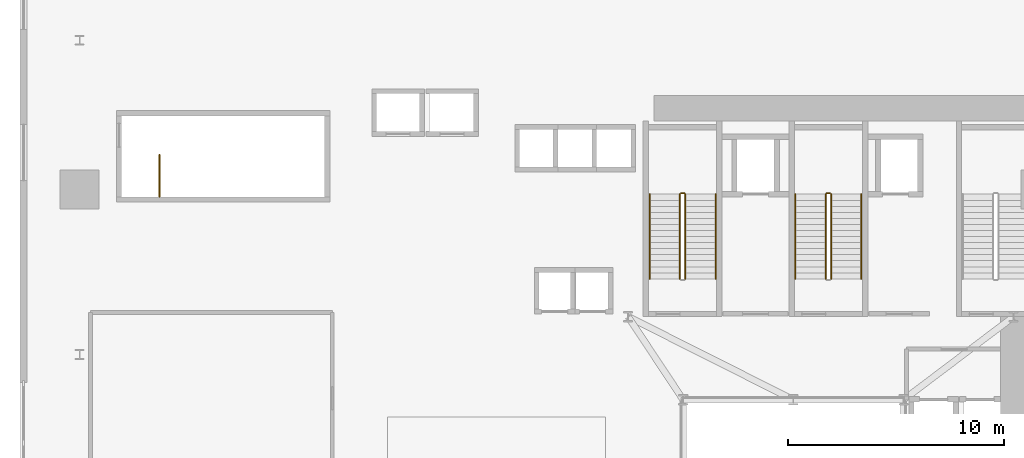
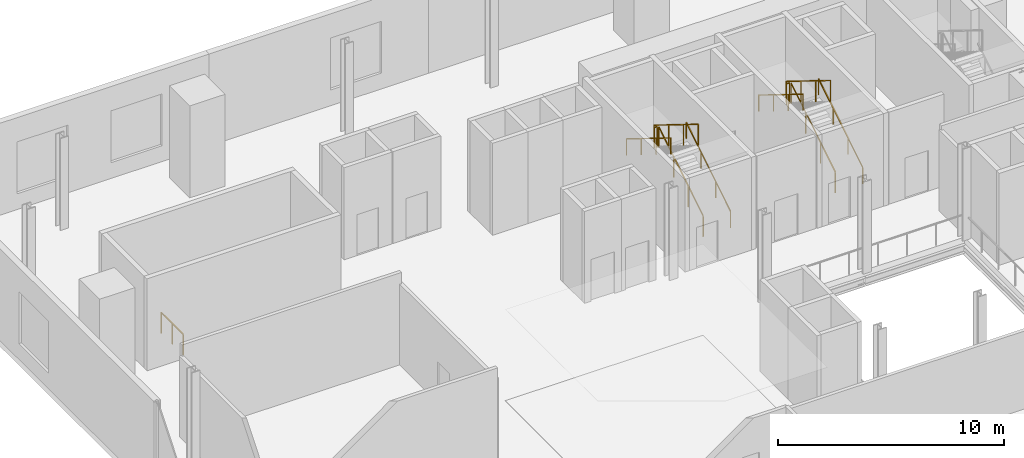
# One storey, part 12 of 13: 11 railings.
"""IFC4 building model written with IfcOpenShell, lengths in metres."""

from ifc_helpers import new_model, si_unit, direction, frame, origin, origin_2d, place, context, subcontext, project, spatial, rectangle, extrude, source, transform, mapped, material, type_object, element, save


model = new_model("IFC4")

# Units and contexts
model_context = context("Model", 3, precision=1e-05, world=origin(), true_north=direction((0.0, 1.0)))
body_context = subcontext(model_context, "Body", "Model", "MODEL_VIEW")
ifc_project = project(units=[si_unit("LENGTHUNIT", "METRE"), si_unit("AREAUNIT", "SQUARE_METRE"), si_unit("VOLUMEUNIT", "CUBIC_METRE"), si_unit("PLANEANGLEUNIT", "RADIAN"), si_unit("MASSUNIT", "GRAM", prefix="KILO")], contexts=[model_context])

# Site, building, storey
site_placement = place(None, origin())
site = spatial("IfcSite", under=ifc_project, at=site_placement, CompositionType="ELEMENT")
building_placement = place(site_placement, origin())
building = spatial("IfcBuilding", under=site, at=building_placement, Name="Vardaveli Station Tower", CompositionType="ELEMENT")
storey_placement = place(building_placement, frame((0.0, 0.0, 22.39990234375)))
storey = spatial("IfcBuildingStorey", under=building, at=storey_placement, Name="L05", CompositionType="ELEMENT", Elevation=22.39990234375)

# Railings
ifc_material = material(Name="Brushed AISI 316 stainless steel", Category="steel")
railing_type_1 = type_object("IfcRailingType", Name="RL-GUARD-1150", PredefinedType="GUARDRAIL", material=ifc_material)
shared_shape_1 = source(origin(), body_context, "Body", "SweptSolid", [
    extrude(rectangle(XDim=0.048095703125, YDim=0.048095703125, at=origin_2d()), frame((0.0, 0.0, 1.1259765625), z_axis=(-1.0, 0.0, 0.0), x_axis=(0.0, -1.0, 0.0)), (0.0, 0.0, 1.0), 0.14990234375),
    extrude(rectangle(XDim=0.0419921875, YDim=0.0419921875, at=origin_2d()), origin(), (0.0, 0.0, 1.0), 1.101806640625),
    extrude(rectangle(XDim=0.0419921875, YDim=0.0419921875, at=origin_2d()), frame((-0.14990234375, 0.0, 0.0)), (0.0, 0.0, 1.0), 1.101806640625),
])
for number, where, name in (
    (1, (31.25, 36.3701171875, 2.60009765625), "L05 ST-1 stair guard 2"),
    (2, (38.0, 36.3701171875, 2.60009765625), "L05 ST-2 stair guard 2"),
):
    element("IfcRailing", number, at=place(storey_placement, frame(where)), inside=storey, type_object=railing_type_1, Name=name, PredefinedType="GUARDRAIL", context=body_context, shape_type="MappedRepresentation", body=[
        mapped(shared_shape_1, transform((0.0, 0.0, 0.0), scale=1.0)),
    ])
shared_shape_2 = source(origin(), body_context, "Body", "SweptSolid", [
    extrude(rectangle(XDim=0.048095703125, YDim=0.048095703125, at=origin_2d()), frame((0.0, 0.0, 1.1259765625), z_axis=(0.0, 0.850266275192, 0.526352791643), x_axis=(-1.0, 0.0, 0.0)), (0.0, 0.0, 1.0), 4.610595703125),
    extrude(rectangle(XDim=0.0419921875, YDim=0.0419921875, at=origin_2d()), origin(), (0.0, 0.0, 1.0), 1.101806640625),
    extrude(rectangle(XDim=0.0419921875, YDim=0.0419921875, at=origin_2d()), frame((0.0, 1.306640625, 0.808837890625)), (0.0, 0.0, 1.0), 1.101806640625),
    extrude(rectangle(XDim=0.0419921875, YDim=0.0419921875, at=origin_2d()), frame((0.0, 2.613525390625, 1.617919921875)), (0.0, 0.0, 1.0), 1.101806640625),
    extrude(rectangle(XDim=0.0419921875, YDim=0.0419921875, at=origin_2d()), frame((0.0, 3.920166015625, 2.4267578125)), (0.0, 0.0, 1.0), 1.101806640625),
])
for number, where, name in (
    (3, (31.300048828125, 32.39990234375, 0.17333984375), "L05 ST-1 stair guard 1"),
    (4, (38.050048828125, 32.39990234375, 0.17333984375), "L05 ST-2 stair guard 1"),
):
    element("IfcRailing", number, at=place(storey_placement, frame(where)), inside=storey, type_object=railing_type_1, Name=name, PredefinedType="GUARDRAIL", context=body_context, shape_type="MappedRepresentation", body=[
        mapped(shared_shape_2, transform((0.0, 0.0, 0.0), scale=1.0)),
    ])
shared_shape_3 = source(origin(), body_context, "Body", "SweptSolid", [
    extrude(rectangle(XDim=0.048095703125, YDim=0.048095703125, at=origin_2d()), frame((0.0, 0.0, 1.1259765625), z_axis=(0.0, -0.850266275192, 0.526352791643), x_axis=(1.0, 0.0, 0.0)), (0.0, 0.0, 1.0), 4.610595703125),
    extrude(rectangle(XDim=0.0419921875, YDim=0.0419921875, at=origin_2d()), origin(), (0.0, 0.0, 1.0), 1.101806640625),
    extrude(rectangle(XDim=0.0419921875, YDim=0.0419921875, at=origin_2d()), frame((0.0, -1.306640625, 0.808837890625)), (0.0, 0.0, 1.0), 1.101806640625),
    extrude(rectangle(XDim=0.0419921875, YDim=0.0419921875, at=origin_2d()), frame((0.0, -2.613525390625, 1.617919921875)), (0.0, 0.0, 1.0), 1.101806640625),
    extrude(rectangle(XDim=0.0419921875, YDim=0.0419921875, at=origin_2d()), frame((0.0, -3.920166015625, 2.4267578125)), (0.0, 0.0, 1.0), 1.101806640625),
])
for number, where, name in (
    (5, (31.050048828125, 36.320068359375, 2.7734375), "L05 ST-1 stair guard 3"),
    (6, (37.800048828125, 36.320068359375, 2.7734375), "L05 ST-2 stair guard 3"),
):
    element("IfcRailing", number, at=place(storey_placement, frame(where)), inside=storey, type_object=railing_type_1, Name=name, PredefinedType="GUARDRAIL", context=body_context, shape_type="MappedRepresentation", body=[
        mapped(shared_shape_3, transform((0.0, 0.0, 0.0), scale=1.0)),
    ])
railing_type_2 = type_object("IfcRailingType", Name="RL-HAND-900", PredefinedType="HANDRAIL", material=ifc_material)
shared_shape_4 = source(origin(), body_context, "Body", "SweptSolid", [
    extrude(rectangle(XDim=0.048095703125, YDim=0.048095703125, at=origin_2d()), frame((0.0, 0.0, 0.8759765625), z_axis=(0.0, 0.850266275192, 0.526352791643), x_axis=(-1.0, 0.0, 0.0)), (0.0, 0.0, 1.0), 4.610595703125),
    extrude(rectangle(XDim=0.0419921875, YDim=0.0419921875, at=origin_2d()), origin(), (0.0, 0.0, 1.0), 0.851806640625),
    extrude(rectangle(XDim=0.0419921875, YDim=0.0419921875, at=origin_2d()), frame((0.0, 1.306640625, 0.808837890625)), (0.0, 0.0, 1.0), 0.851806640625),
    extrude(rectangle(XDim=0.0419921875, YDim=0.0419921875, at=origin_2d()), frame((0.0, 2.613525390625, 1.617919921875)), (0.0, 0.0, 1.0), 0.851806640625),
    extrude(rectangle(XDim=0.0419921875, YDim=0.0419921875, at=origin_2d()), frame((0.0, 3.920166015625, 2.4267578125)), (0.0, 0.0, 1.0), 0.851806640625),
])
for number, where, name in (
    (7, (32.699951171875, 32.39990234375, 0.17333984375), "L05 ST-1 stair handrail 1"),
    (8, (39.449951171875, 32.39990234375, 0.17333984375), "L05 ST-2 stair handrail 1"),
):
    element("IfcRailing", number, at=place(storey_placement, frame(where)), inside=storey, type_object=railing_type_2, Name=name, PredefinedType="HANDRAIL", context=body_context, shape_type="MappedRepresentation", body=[
        mapped(shared_shape_4, transform((0.0, 0.0, 0.0), scale=1.0)),
    ])
shared_shape_5 = source(origin(), body_context, "Body", "SweptSolid", [
    extrude(rectangle(XDim=0.048095703125, YDim=0.048095703125, at=origin_2d()), frame((0.0, 0.0, 0.8759765625), z_axis=(0.0, -0.850266275192, 0.526352791643), x_axis=(1.0, 0.0, 0.0)), (0.0, 0.0, 1.0), 4.610595703125),
    extrude(rectangle(XDim=0.0419921875, YDim=0.0419921875, at=origin_2d()), origin(), (0.0, 0.0, 1.0), 0.851806640625),
    extrude(rectangle(XDim=0.0419921875, YDim=0.0419921875, at=origin_2d()), frame((0.0, -1.306640625, 0.808837890625)), (0.0, 0.0, 1.0), 0.851806640625),
    extrude(rectangle(XDim=0.0419921875, YDim=0.0419921875, at=origin_2d()), frame((0.0, -2.613525390625, 1.617919921875)), (0.0, 0.0, 1.0), 0.851806640625),
    extrude(rectangle(XDim=0.0419921875, YDim=0.0419921875, at=origin_2d()), frame((0.0, -3.920166015625, 2.4267578125)), (0.0, 0.0, 1.0), 0.851806640625),
])
for number, where, name in (
    (9, (29.64990234375, 36.320068359375, 2.7734375), "L05 ST-1 stair handrail 2"),
    (10, (36.39990234375, 36.320068359375, 2.7734375), "L05 ST-2 stair handrail 2"),
):
    element("IfcRailing", number, at=place(storey_placement, frame(where)), inside=storey, type_object=railing_type_2, Name=name, PredefinedType="HANDRAIL", context=body_context, shape_type="MappedRepresentation", body=[
        mapped(shared_shape_5, transform((0.0, 0.0, 0.0), scale=1.0)),
    ])
shared_shape_6 = source(origin(), body_context, "Body", "SweptSolid", [
    extrude(rectangle(XDim=0.048095703125, YDim=0.048095703125, at=origin_2d()), frame((0.0, 0.0, 1.1259765625), z_axis=(0.0, 1.0, 0.0), x_axis=(-1.0, 0.0, 0.0)), (0.0, 0.0, 1.0), 1.949951171875),
    extrude(rectangle(XDim=0.0419921875, YDim=0.0419921875, at=origin_2d()), origin(), (0.0, 0.0, 1.0), 1.101806640625),
    extrude(rectangle(XDim=0.0419921875, YDim=0.0419921875, at=origin_2d()), frame((0.0, 0.97509765625, 0.0)), (0.0, 0.0, 1.0), 1.101806640625),
    extrude(rectangle(XDim=0.0419921875, YDim=0.0419921875, at=origin_2d()), frame((0.0, 1.949951171875, 0.0)), (0.0, 0.0, 1.0), 1.101806640625),
])
railing_placement = place(storey_placement, frame((6.949951171875, 36.199951171875, 0.0)))
element("IfcRailing", 11, at=railing_placement, inside=storey, type_object=railing_type_1, Name="L05 ST-P1 top well guard 1", PredefinedType="GUARDRAIL", context=body_context, shape_type="MappedRepresentation", body=[
    mapped(shared_shape_6, transform((0.0, 0.0, 0.0), scale=1.0)),
])

save(model, "model.ifc")
